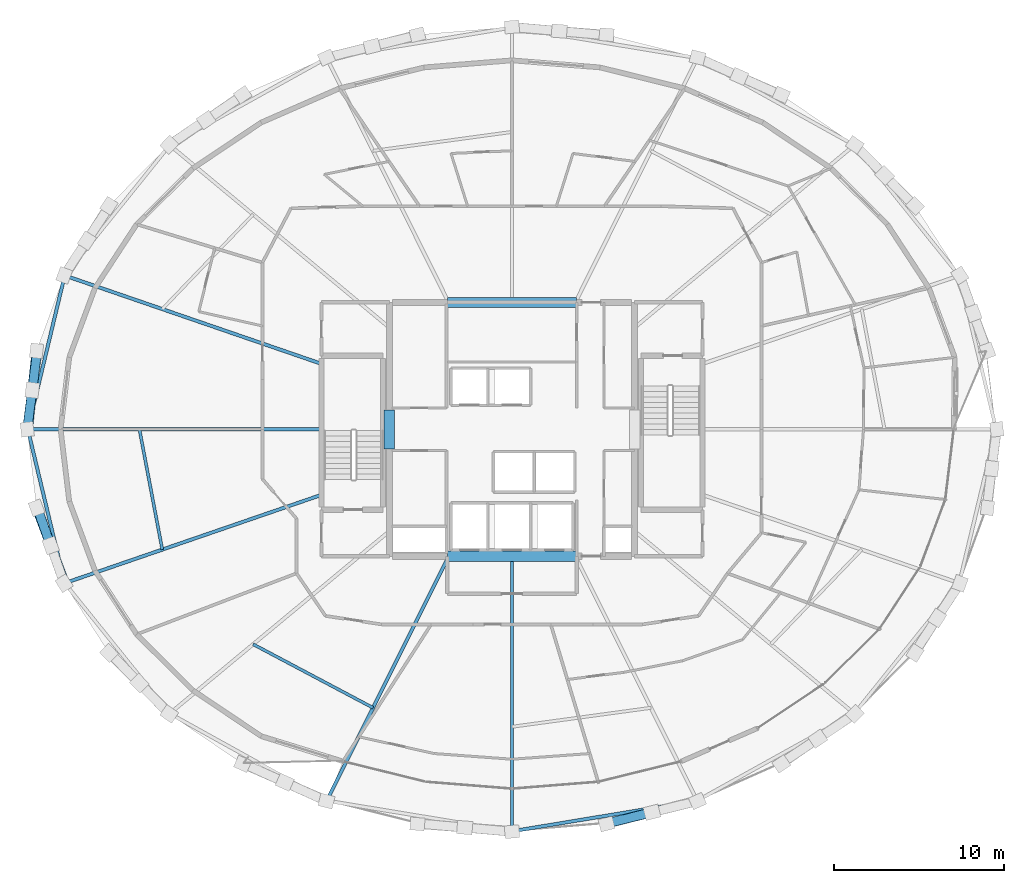
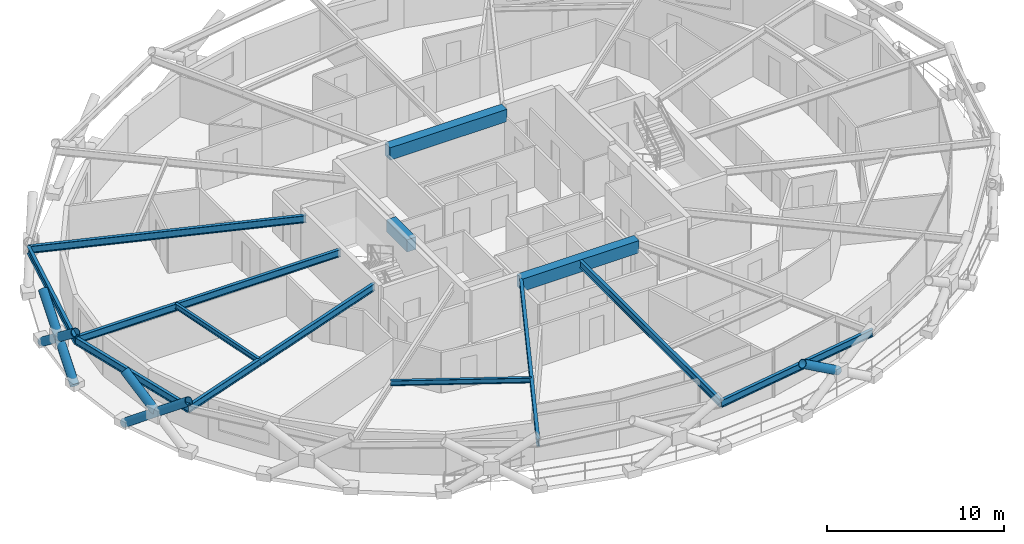
# One storey, part 3 of 21: 13 beams, 6 members.
"""IFC4 building model written with IfcOpenShell, lengths in metres."""

from ifc_helpers import new_model, si_unit, direction, frame, origin, origin_2d, place, context, subcontext, project, spatial, rectangle, hollow_circle, i_section, extrude, material, material_profile, profile_set, type_object, element, save


model = new_model("IFC4")

# Units and contexts
model_context = context("Model", 3, precision=1e-05, world=origin(), true_north=direction((0.0, 1.0)))
body_context = subcontext(model_context, "Body", "Model", "MODEL_VIEW")
ifc_project = project(units=[si_unit("LENGTHUNIT", "METRE"), si_unit("AREAUNIT", "SQUARE_METRE"), si_unit("VOLUMEUNIT", "CUBIC_METRE"), si_unit("PLANEANGLEUNIT", "RADIAN"), si_unit("MASSUNIT", "GRAM", prefix="KILO")], contexts=[model_context])

# Site, building, storey
site_placement = place(None, origin())
site = spatial("IfcSite", under=ifc_project, at=site_placement, CompositionType="ELEMENT")
building_placement = place(site_placement, origin())
building = spatial("IfcBuilding", under=site, at=building_placement, Name="Veldorina Hangang Commons", CompositionType="ELEMENT")
storey_placement = place(building_placement, frame((0.0, 0.0, 138.800048828125)))
storey = spatial("IfcBuildingStorey", under=building, at=storey_placement, Name="L35", CompositionType="ELEMENT", Elevation=138.800048828125)

# Beams
ifc_material_1 = material(Name="Concrete C60/75", Category="concrete")
ifc_material_profile_1 = material_profile(ifc_material_1, rectangle(XDim=0.60009765625, YDim=0.85009765625, at=origin_2d()), Name="RC-CB-600x850")
ifc_profile_set_1 = profile_set([ifc_material_profile_1], Name="Concrete C60/75")
beam_type_1 = type_object("IfcBeamType", Name="BM-CB850", PredefinedType="LINTEL", material=ifc_profile_set_1)
beam_1_placement = place(storey_placement, frame((24.800048828125, 22.85009765625, 2.925048828125), z_axis=(0.0, 1.0, 0.0), x_axis=(-1.0, 0.0, 0.0)))
element("IfcBeam", 1, at=beam_1_placement, inside=storey, type_object=beam_type_1, Name="L35 W core coupling lintel beam", PredefinedType="LINTEL", context=body_context, shape_type="SweptSolid", body=[
    extrude(rectangle(XDim=0.60009765625, YDim=0.85009765625, at=origin_2d()), origin(), (0.0, 0.0, 1.0), 2.2998046875),
])
for number, where, z_axis, x_axis, name in (
    (2, (28.199951171875, 16.550048828125, 2.925048828125), (1.0, 0.0, 0.0), (0.0, 1.0, 0.0), "L35 south core coupling beam"),
    (3, (28.199951171875, 31.449951171875, 2.925048828125), (1.0, 0.0, 0.0), (0.0, 1.0, 0.0), "L35 north core coupling beam"),
):
    element("IfcBeam", number, at=place(storey_placement, frame(where, z_axis=z_axis, x_axis=x_axis)), inside=storey, type_object=beam_type_1, Name=name, PredefinedType="LINTEL", context=body_context, shape_type="SweptSolid", body=[
        extrude(rectangle(XDim=0.60009765625, YDim=0.85009765625, at=origin_2d()), origin(), (0.0, 0.0, 1.0), 7.60009765625),
    ])
ifc_material_2 = material(Name="Steel SM420-TMC", Category="steel")
ifc_material_profile_2 = material_profile(ifc_material_2, i_section(OverallWidth=0.199951171875, OverallDepth=0.5, WebThickness=0.010009765625, FlangeThickness=0.01611328125, FilletRadius=0.01611328125, at=origin_2d()), Name="H-500x200x10x16")
ifc_profile_set_2 = profile_set([ifc_material_profile_2], Name="Steel SM420-TMC")
beam_type_2 = type_object("IfcBeamType", Name="BM-FG500", PredefinedType="BEAM", material=ifc_profile_set_2)
beam_2_placement = place(storey_placement, frame((20.820068359375, 27.844482421875, 3.099853515625), z_axis=(-0.945648786625, 0.325189748232, 0.0), x_axis=(-0.325189748232, -0.945648786625, 0.0)))
element("IfcBeam", 4, at=beam_2_placement, inside=storey, type_object=beam_type_2, Name="L35 radial floor girder 08", PredefinedType="BEAM", context=body_context, shape_type="SweptSolid", body=[
    extrude(i_section(OverallWidth=0.199951171875, OverallDepth=0.5, WebThickness=0.010009765625, FlangeThickness=0.01611328125, FilletRadius=0.01611328125, at=origin_2d()), origin(), (0.0, 0.0, 1.0), 15.94384765625),
])
beam_3_placement = place(storey_placement, frame((20.820068359375, 24.0, 3.099853515625), z_axis=(-1.0, 0.0, 0.0), x_axis=(0.0, -1.0, 0.0)))
element("IfcBeam", 5, at=beam_3_placement, inside=storey, type_object=beam_type_2, Name="L35 radial floor girder 09", PredefinedType="BEAM", context=body_context, shape_type="SweptSolid", body=[
    extrude(i_section(OverallWidth=0.199951171875, OverallDepth=0.5, WebThickness=0.010009765625, FlangeThickness=0.01611328125, FilletRadius=0.01611328125, at=origin_2d()), origin(), (0.0, 0.0, 1.0), 17.24072265625),
])
beam_4_placement = place(storey_placement, frame((20.820068359375, 20.155517578125, 3.099853515625), z_axis=(-0.945648786625, -0.325189748232, 0.0), x_axis=(0.325189748232, -0.945648786625, 0.0)))
element("IfcBeam", 6, at=beam_4_placement, inside=storey, type_object=beam_type_2, Name="L35 radial floor girder 10", PredefinedType="BEAM", context=body_context, shape_type="SweptSolid", body=[
    extrude(i_section(OverallWidth=0.199951171875, OverallDepth=0.5, WebThickness=0.010009765625, FlangeThickness=0.01611328125, FilletRadius=0.01611328125, at=origin_2d()), origin(), (0.0, 0.0, 1.0), 15.94384765625),
])
beam_5_placement = place(storey_placement, frame((28.282958984375, 16.550048828125, 3.099853515625), z_axis=(-0.44645827547, -0.894804452528, 0.0), x_axis=(0.894804452528, -0.44645827547, 0.0)))
element("IfcBeam", 7, at=beam_5_placement, inside=storey, type_object=beam_type_2, Name="L35 radial floor girder 12", PredefinedType="BEAM", context=body_context, shape_type="SweptSolid", body=[
    extrude(i_section(OverallWidth=0.199951171875, OverallDepth=0.5, WebThickness=0.010009765625, FlangeThickness=0.01611328125, FilletRadius=0.01611328125, at=origin_2d()), origin(), (0.0, 0.0, 1.0), 16.035400390625),
])
beam_6_placement = place(storey_placement, frame((32.0, 16.550048828125, 3.099853515625), z_axis=(0.0, -1.0, 0.0), x_axis=(1.0, 0.0, 0.0)))
element("IfcBeam", 8, at=beam_6_placement, inside=storey, type_object=beam_type_2, Name="L35 radial floor girder 13", PredefinedType="BEAM", context=body_context, shape_type="SweptSolid", body=[
    extrude(i_section(OverallWidth=0.199951171875, OverallDepth=0.5, WebThickness=0.010009765625, FlangeThickness=0.01611328125, FilletRadius=0.01611328125, at=origin_2d()), origin(), (0.0, 0.0, 1.0), 16.14453125),
])
ifc_material_3 = material(Name="Steel SM355-TMC", Category="steel")
ifc_material_profile_3 = material_profile(ifc_material_3, i_section(OverallWidth=0.175048828125, OverallDepth=0.35009765625, WebThickness=0.007080078125, FlangeThickness=0.010986328125, FilletRadius=0.012939453125, at=origin_2d()), Name="H-350x175x7x11")
ifc_profile_set_3 = profile_set([ifc_material_profile_3], Name="Steel SM355-TMC")
beam_type_3 = type_object("IfcBeamType", Name="BM-JST350", PredefinedType="JOIST", material=ifc_profile_set_3)
beam_7_placement = place(storey_placement, frame((10.130859375, 24.0, 3.175048828125), z_axis=(0.186671795617, -0.982422333175, 0.0), x_axis=(0.982422333175, 0.186671795617, 0.0)))
element("IfcBeam", 9, at=beam_7_placement, inside=storey, type_object=beam_type_3, Name="L35 secondary floor joist 09", PredefinedType="JOIST", context=body_context, shape_type="SweptSolid", body=[
    extrude(i_section(OverallWidth=0.175048828125, OverallDepth=0.35009765625, WebThickness=0.007080078125, FlangeThickness=0.010986328125, FilletRadius=0.012939453125, at=origin_2d()), origin(), (0.0, 0.0, 1.0), 7.185302734375),
])
beam_8_placement = place(storey_placement, frame((16.80419921875, 11.384521484375, 3.175048828125), z_axis=(0.883599270644, -0.468243877608, 0.0), x_axis=(0.468243877608, 0.883599270644, 0.0)))
element("IfcBeam", 10, at=beam_8_placement, inside=storey, type_object=beam_type_3, Name="L35 secondary floor joist 11", PredefinedType="JOIST", context=body_context, shape_type="SweptSolid", body=[
    extrude(i_section(OverallWidth=0.175048828125, OverallDepth=0.35009765625, WebThickness=0.007080078125, FlangeThickness=0.010986328125, FilletRadius=0.012939453125, at=origin_2d()), origin(), (0.0, 0.0, 1.0), 7.967529296875),
])
ifc_material_profile_4 = material_profile(ifc_material_2, i_section(OverallWidth=0.199951171875, OverallDepth=0.5, WebThickness=0.010009765625, FlangeThickness=0.01611328125, FilletRadius=0.01611328125, at=origin_2d()), Name="H-500x200x10x16")
ifc_profile_set_4 = profile_set([ifc_material_profile_4], Name="Steel SM420-TMC")
beam_type_4 = type_object("IfcBeamType", Name="BM-RB500", PredefinedType="BEAM", material=ifc_profile_set_4)
for number, where, z_axis, x_axis, name in (
    (11, (5.74267578125, 33.029296875, 3.099853515625), (-0.232996019854, -0.972477688552, 0.0), (0.972477688552, -0.232996019854, 0.0), "L35 perimeter hoop ring beam 14"),
    (12, (3.579345703125, 24.0, 3.099853515625), (0.232996019854, -0.972477688552, 0.0), (0.972477688552, 0.232996019854, 0.0), "L35 perimeter hoop ring beam 16"),
):
    element("IfcBeam", number, at=place(storey_placement, frame(where, z_axis=z_axis, x_axis=x_axis)), inside=storey, type_object=beam_type_4, Name=name, PredefinedType="BEAM", context=body_context, shape_type="SweptSolid", body=[
        extrude(i_section(OverallWidth=0.199951171875, OverallDepth=0.5, WebThickness=0.010009765625, FlangeThickness=0.01611328125, FilletRadius=0.01611328125, at=origin_2d()), origin(), (0.0, 0.0, 1.0), 9.284912109375),
    ])
beam_9_placement = place(storey_placement, frame((32.0, 0.405517578125, 3.099853515625), z_axis=(0.986640020354, 0.162915530982, 0.0), x_axis=(-0.162915530982, 0.986640020354, 0.0)))
element("IfcBeam", 13, at=beam_9_placement, inside=storey, type_object=beam_type_4, Name="L35 perimeter hoop ring beam 24", PredefinedType="BEAM", context=body_context, shape_type="SweptSolid", body=[
    extrude(i_section(OverallWidth=0.199951171875, OverallDepth=0.5, WebThickness=0.010009765625, FlangeThickness=0.01611328125, FilletRadius=0.01611328125, at=origin_2d()), origin(), (0.0, 0.0, 1.0), 11.0234375),
])

# Members
ifc_material_profile_5 = material_profile(ifc_material_2, hollow_circle(Radius=0.27490234375, WallThickness=0.028076171875, at=origin_2d()), Name="CHS-550x28")
ifc_profile_set_5 = profile_set([ifc_material_profile_5], Name="Steel SM420-TMC")
member_type = type_object("IfcMemberType", Name="DG-CHS550", PredefinedType="BRACE", material=ifc_profile_set_5)
member_1_placement = place(storey_placement, frame((4.08837890625, 28.608154296875, 0.0), z_axis=(-0.085690319345, -0.78514795031, 0.613351339196), x_axis=(0.994097013699, -0.108494826396, 0.0)))
element("IfcMember", 14, at=member_1_placement, inside=storey, type_object=member_type, Name="L35 continuous perimeter diagrid brace 15", PredefinedType="BRACE", context=body_context, shape_type="SweptSolid", body=[
    extrude(hollow_circle(Radius=0.27490234375, WallThickness=0.028076171875, at=origin_2d()), origin(), (0.0, 0.0, 1.0), 5.869140625),
])
member_2_placement = place(storey_placement, frame((3.541748046875, 24.0, 0.0), z_axis=(0.100457312175, 0.783633507959, 0.613047187119), x_axis=(-0.991883025206, 0.127153703475, 0.0)))
element("IfcMember", 15, at=member_2_placement, inside=storey, type_object=member_type, Name="L35 split perimeter diagrid lower brace 16", PredefinedType="BRACE", context=body_context, shape_type="SweptSolid", body=[
    extrude(hollow_circle(Radius=0.27490234375, WallThickness=0.028076171875, at=origin_2d()), origin(), (0.0, 0.0, 1.0), 2.938232421875),
])
member_3_placement = place(storey_placement, frame((3.8369140625, 26.302490234375, 1.80126953125), z_axis=(0.100338638542, 0.783739614481, 0.612930970264), x_axis=(-0.991904125411, 0.126988999495, 0.0)))
element("IfcMember", 16, at=member_3_placement, inside=storey, type_object=member_type, Name="L35 split perimeter diagrid upper brace 16", PredefinedType="BRACE", context=body_context, shape_type="SweptSolid", body=[
    extrude(hollow_circle(Radius=0.27490234375, WallThickness=0.028076171875, at=origin_2d()), origin(), (0.0, 0.0, 1.0), 2.934326171875),
])
member_4_placement = place(storey_placement, frame((4.08837890625, 19.391845703125, 0.0), z_axis=(0.279596899154, -0.744412864903, 0.606362152966), x_axis=(0.93614627689, 0.351610790883, 0.0)))
element("IfcMember", 17, at=member_4_placement, inside=storey, type_object=member_type, Name="L35 continuous perimeter diagrid brace 17", PredefinedType="BRACE", context=body_context, shape_type="SweptSolid", body=[
    extrude(hollow_circle(Radius=0.27490234375, WallThickness=0.028076171875, at=origin_2d()), origin(), (0.0, 0.0, 1.0), 5.936767578125),
])
member_5_placement = place(storey_placement, frame((4.9189453125, 17.1806640625, 1.80126953125), z_axis=(-0.265945473616, 0.748620844981, 0.607321854969), x_axis=(-0.942306366451, -0.33475171657, 0.0)))
element("IfcMember", 18, at=member_5_placement, inside=storey, type_object=member_type, Name="L35 split perimeter diagrid upper brace 18", PredefinedType="BRACE", context=body_context, shape_type="SweptSolid", body=[
    extrude(hollow_circle(Radius=0.27490234375, WallThickness=0.028076171875, at=origin_2d()), origin(), (0.0, 0.0, 1.0), 2.96142578125),
])
member_6_placement = place(storey_placement, frame((40.21484375, 1.519775390625, 1.80126953125), z_axis=(-0.812782403893, -0.199815816713, 0.547227926291), x_axis=(0.238733243494, -0.971085185991, 0.0)))
element("IfcMember", 19, at=member_6_placement, inside=storey, type_object=member_type, Name="L35 split perimeter diagrid upper brace 26", PredefinedType="BRACE", context=body_context, shape_type="SweptSolid", body=[
    extrude(hollow_circle(Radius=0.27490234375, WallThickness=0.028076171875, at=origin_2d()), origin(), (0.0, 0.0, 1.0), 3.28662109375),
])

save(model, "model.ifc")
